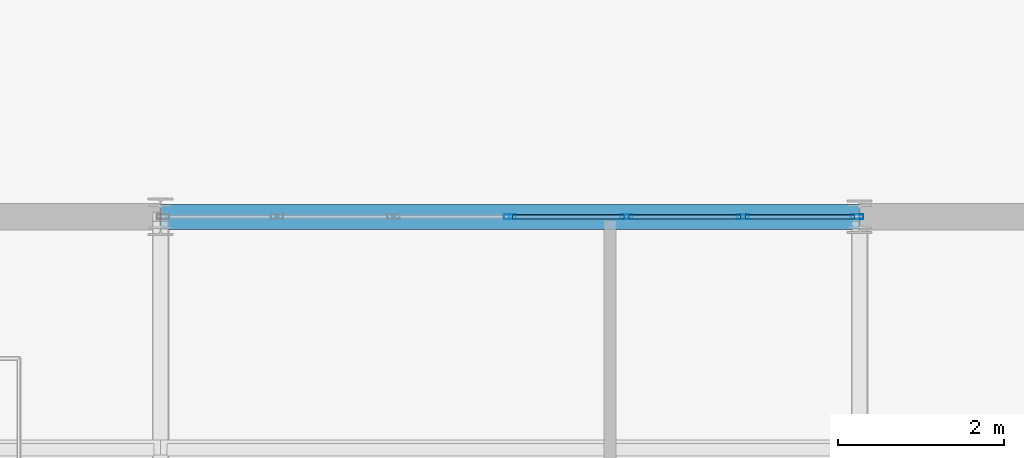
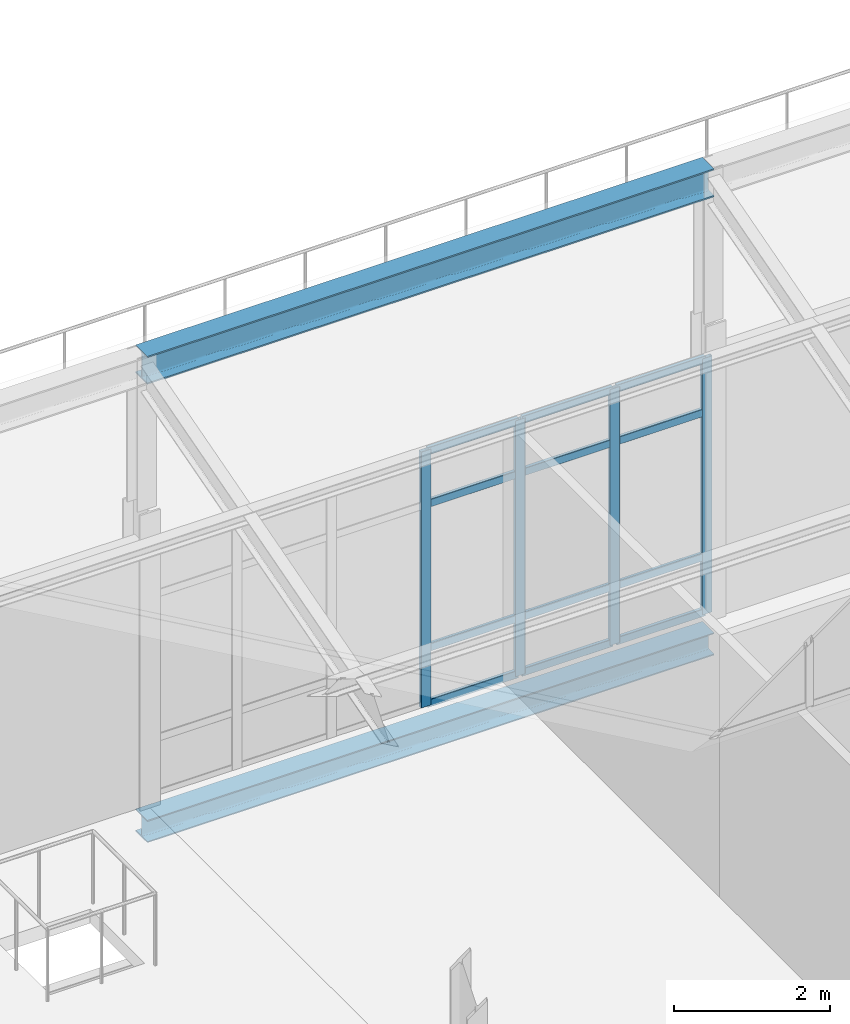
# One storey, part 43 of 53: 16 members, 2 beams, 1 element without a shape of its own.
"""IFC4 building model written with IfcOpenShell, lengths in metres."""

import ifcopenshell
import ifcopenshell.guid

model = None  # the IFC model being written
_history = None  # IfcOwnerHistory: only IFC2X3 demands one
_inside = {}  # id of a spatial element -> (the spatial element, [elements in it])
_under = {}  # id of a project, library or spatial element -> (it, [spatial elements below it])
_declared = {}  # id of a project -> (the project, [libraries it declares])
_typed = {}  # id of a type object -> (the type object, [elements of that type])
_made_of = {}  # id of a material, layer set ... -> (it, [elements and type objects made of it])


def new_model(schema):
    """Start an empty IFC model of exactly this schema.

    Asked for "IFC4X3", IfcOpenShell would pick the latest addendum, in which some entities
    have other attributes; the version numbers below select the first issue.
    IFC2X3 requires an IfcOwnerHistory on every rooted entity: one is made here for all.
    """
    global model, _history
    if schema == "IFC4X3":
        model = ifcopenshell.file(schema_version=(4, 3, 0, 0))
    else:
        model = ifcopenshell.file(schema=schema)
    _inside.clear()
    _under.clear()
    _declared.clear()
    _typed.clear()
    _made_of.clear()
    _history = None
    if model.schema == "IFC2X3":
        org = make("IfcOrganization", Name="unknown")
        user = make(
            "IfcPersonAndOrganization",
            ThePerson=make("IfcPerson", FamilyName="unknown"),
            TheOrganization=org,
        )
        app = make(
            "IfcApplication",
            ApplicationDeveloper=org,
            Version="unknown",
            ApplicationFullName="unknown",
            ApplicationIdentifier="unknown",
        )
        _history = make(
            "IfcOwnerHistory",
            OwningUser=user,
            OwningApplication=app,
            ChangeAction="ADDED",
            CreationDate=0,
        )
    return model


def make(cls, **values):
    """One entity of the class cls with the attributes given. An attribute that is None is left unset."""
    return model.create_entity(
        cls, **{name: value for name, value in values.items() if value is not None}
    )


def rooted(cls, **values):
    """An entity with a GlobalId (a new one), such as an element, a storey or a relation."""
    return make(cls, GlobalId=ifcopenshell.guid.new(), OwnerHistory=_history, **values)


def si_unit(unit_type, name, prefix=None):
    """IfcSIUnit, for example si_unit("LENGTHUNIT", "METRE", prefix="MILLI")."""
    return make("IfcSIUnit", UnitType=unit_type, Prefix=prefix, Name=name)


def assignment(units):
    """IfcUnitAssignment: the units of a project."""
    return None if units is None else make("IfcUnitAssignment", Units=units)


def point(xyz):
    """IfcCartesianPoint."""
    return None if xyz is None else make("IfcCartesianPoint", Coordinates=xyz)


def direction(xyz):
    """IfcDirection."""
    return None if xyz is None else make("IfcDirection", DirectionRatios=xyz)


def frame(location, z_axis=None, x_axis=None):
    """IfcAxis2Placement3D, a coordinate frame: its origin and axes. An axis left out is left unset."""
    return make(
        "IfcAxis2Placement3D",
        Location=point(location),
        Axis=direction(z_axis),
        RefDirection=direction(x_axis),
    )


def frame_2d(location, x_axis=None):
    """IfcAxis2Placement2D, a coordinate frame in the plane: its origin and x axis."""
    return make(
        "IfcAxis2Placement2D", Location=point(location), RefDirection=direction(x_axis)
    )


def origin():
    """The frame at (0, 0, 0) with its axes left unset."""
    return frame((0.0, 0.0, 0.0))


def origin_2d():
    """The frame at (0, 0) in the plane with its x axis left unset."""
    return frame_2d((0.0, 0.0))


def place(relative_to, where):
    """IfcLocalPlacement: puts the frame where relative to a parent placement (None: the world)."""
    return make(
        "IfcLocalPlacement", PlacementRelTo=relative_to, RelativePlacement=where
    )


def context(
    kind, dimensions, precision=None, world=None, true_north=None, identifier=None
):
    """IfcGeometricRepresentationContext, for example the 3D "Model" context."""
    return make(
        "IfcGeometricRepresentationContext",
        ContextIdentifier=identifier,
        ContextType=kind,
        CoordinateSpaceDimension=dimensions,
        Precision=precision,
        WorldCoordinateSystem=world,
        TrueNorth=true_north,
    )


def subcontext(parent, identifier, kind, view, scale=None):
    """IfcGeometricRepresentationSubContext, for example "Body" below "Model"."""
    return make(
        "IfcGeometricRepresentationSubContext",
        ContextIdentifier=identifier,
        ContextType=kind,
        ParentContext=parent,
        TargetScale=scale,
        TargetView=view,
    )


def project(units=None, contexts=None):
    """IfcProject with its units and contexts."""
    return rooted(
        "IfcProject",
        Name="project",
        RepresentationContexts=contexts,
        UnitsInContext=assignment(units),
    )


def spatial(cls, under=None, at=None, **own):
    """A site, building, storey or space (cls), placed at a placement, below another one or the project."""
    s = rooted(cls, ObjectPlacement=at, **own)
    if under is not None:
        _under.setdefault(under.id(), (under, []))[1].append(s)
    return s


def profile(cls, at=None, kind="AREA", **sizes):
    """A parametric profile (cls). Its sizes go by their IFC names, for example OverallWidth=200.0."""
    return make(cls, ProfileType=kind, Position=at, **sizes)


def hollow_rectangle(**sizes):
    """IfcRectangleHollowProfileDef."""
    return profile("IfcRectangleHollowProfileDef", **sizes)


def i_section(**sizes):
    """IfcIShapeProfileDef."""
    return profile("IfcIShapeProfileDef", **sizes)


def extrude(swept, where, along, depth):
    """IfcExtrudedAreaSolid: the profile swept, set in the frame where, extruded along a direction by depth."""
    return make(
        "IfcExtrudedAreaSolid",
        SweptArea=swept,
        Position=where,
        ExtrudedDirection=direction(along),
        Depth=depth,
    )


def shape(context_of_items, identifier, shape_type, items):
    """IfcShapeRepresentation: the items that make up one representation, for example the "Body"."""
    return make(
        "IfcShapeRepresentation",
        ContextOfItems=context_of_items,
        RepresentationIdentifier=identifier,
        RepresentationType=shape_type,
        Items=items,
    )


def material(Name=None, Category=None):
    """IfcMaterial."""
    return make("IfcMaterial", Name=Name, Category=Category)


def layer(
    of_material, thickness, ventilated=None, Name=None, Category=None, Priority=None
):
    """IfcMaterialLayer: one layer of a wall or slab, of a material (None: an air gap)."""
    return make(
        "IfcMaterialLayer",
        Material=of_material,
        LayerThickness=thickness,
        IsVentilated=ventilated,
        Name=Name,
        Category=Category,
        Priority=Priority,
    )


def layer_set(layers, Name=None):
    """IfcMaterialLayerSet."""
    return make("IfcMaterialLayerSet", MaterialLayers=layers, LayerSetName=Name)


def material_profile(
    of_material, cross_section, Name=None, Category=None, Priority=None
):
    """IfcMaterialProfile: a cross section and its material."""
    return make(
        "IfcMaterialProfile",
        Name=Name,
        Material=of_material,
        Profile=cross_section,
        Priority=Priority,
        Category=Category,
    )


def profile_set(profiles, Name=None, composite=None):
    """IfcMaterialProfileSet."""
    return make(
        "IfcMaterialProfileSet",
        Name=Name,
        MaterialProfiles=profiles,
        CompositeProfile=composite,
    )


def made_of(thing, what):
    """Note that an element or type object is made of a material, layer set ...; save() writes the relation."""
    if what is not None:
        _made_of.setdefault(what.id(), (what, []))[1].append(thing)
    return thing


def type_object(cls, material=None, **own):
    """A type object (cls), such as IfcWallType, which elements share."""
    return made_of(rooted(cls, **own), material)


def element(
    cls,
    number,
    at=None,
    inside=None,
    cuts=None,
    type_object=None,
    material=None,
    context=None,
    identifier="Body",
    shape_type=None,
    held_by="IfcProductDefinitionShape",
    body=None,
    shapes=None,
    **own,
):
    """One element of the class cls, such as IfcWall. Its Tag is "e" and its number.

    at: its placement. inside: the storey or other place that contains it. cuts: it is an
    opening in that element (IfcRelVoidsElement). A single representation is given by context,
    identifier, shape_type and body (its items); several are given by shapes. held_by: the class
    of the entity that holds the representations. save() writes the other relations.
    """
    e = rooted(cls, Tag="e%d" % number, ObjectPlacement=at, **own)
    if body is not None:
        shapes = [shape(context, identifier, shape_type, body)]
    if shapes is not None:
        e.Representation = make(held_by, Representations=shapes)
    if inside is not None:
        _inside.setdefault(inside.id(), (inside, []))[1].append(e)
    if cuts is not None:
        rooted(
            "IfcRelVoidsElement", RelatingBuildingElement=cuts, RelatedOpeningElement=e
        )
    if type_object is not None:
        _typed.setdefault(type_object.id(), (type_object, []))[1].append(e)
    return made_of(e, material)


def aggregate(whole, parts):
    """IfcRelAggregates: a whole, such as a stair, and the parts it consists of."""
    return rooted("IfcRelAggregates", RelatingObject=whole, RelatedObjects=parts)


def save(model, path):
    """Write the relations noted so far, then the file.

    IfcRelAggregates (storeys below a building ...), IfcRelContainedInSpatialStructure (elements
    in a storey), IfcRelDefinesByType, IfcRelAssociatesMaterial and IfcRelDeclares: one each for
    every whole, place, type object, material and project.
    """
    for whole, parts in _under.values():
        aggregate(whole, parts)
    for where, things in _inside.values():
        rooted(
            "IfcRelContainedInSpatialStructure",
            RelatedElements=things,
            RelatingStructure=where,
        )
    for kind, things in _typed.values():
        rooted("IfcRelDefinesByType", RelatedObjects=things, RelatingType=kind)
    for what, things in _made_of.values():
        rooted("IfcRelAssociatesMaterial", RelatedObjects=things, RelatingMaterial=what)
    for by, libraries in _declared.values():
        rooted("IfcRelDeclares", RelatingContext=by, RelatedDefinitions=libraries)
    model.write(path)


model = new_model("IFC4")

# Units and contexts
model_context = context("Model", 3, precision=1e-05, world=origin(), true_north=direction((0.0, 1.0)))
body_context = subcontext(model_context, "Body", "Model", "MODEL_VIEW")
ifc_project = project(units=[si_unit("LENGTHUNIT", "METRE"), si_unit("AREAUNIT", "SQUARE_METRE"), si_unit("VOLUMEUNIT", "CUBIC_METRE"), si_unit("PLANEANGLEUNIT", "RADIAN"), si_unit("MASSUNIT", "GRAM", prefix="KILO")], contexts=[model_context])

# Site, building, storey
site_placement = place(None, origin())
site = spatial("IfcSite", under=ifc_project, at=site_placement, CompositionType="ELEMENT")
building_placement = place(site_placement, origin())
building = spatial("IfcBuilding", under=site, at=building_placement, Name="Qalvenar Corner Mobility Hub", CompositionType="ELEMENT")
storey_placement = place(building_placement, frame((0.0, 0.0, 26.39990234375)))
storey = spatial("IfcBuildingStorey", under=building, at=storey_placement, Name="L06", CompositionType="ELEMENT", Elevation=26.39990234375)

# Beams
ifc_material_1 = material(Name="Steel S355", Category="steel")
ifc_material_profile_1 = material_profile(ifc_material_1, i_section(OverallWidth=0.300048828125, OverallDepth=0.43994140625, WebThickness=0.011474609375, FlangeThickness=0.02099609375, FilletRadius=0.027099609375, at=origin_2d()), Name="HEA450")
ifc_profile_set_1 = profile_set([ifc_material_profile_1], Name="Steel S355")
beam_type_1 = type_object("IfcBeamType", Name="BM-HEA450", PredefinedType="BEAM", material=ifc_profile_set_1)
beam_1_placement = place(storey_placement, frame((16.800048828125, 33.60009765625, 6.81005859375), z_axis=(1.0, 0.0, 0.0), x_axis=(0.0, 1.0, 0.0)))
element("IfcBeam", 1, at=beam_1_placement, inside=storey, type_object=beam_type_1, Name="Sawtooth Ridge Girder V3RDG-4-3", PredefinedType="BEAM", context=body_context, shape_type="SweptSolid", body=[
    extrude(i_section(OverallWidth=0.300048828125, OverallDepth=0.43994140625, WebThickness=0.011474609375, FlangeThickness=0.02099609375, FilletRadius=0.027099609375, at=origin_2d()), origin(), (0.0, 0.0, 1.0), 8.39990234375),
])
ifc_material_profile_2 = material_profile(ifc_material_1, i_section(OverallWidth=0.300048828125, OverallDepth=0.35009765625, WebThickness=0.010009765625, FlangeThickness=0.017578125, FilletRadius=0.027099609375, at=origin_2d()), Name="HEA360")
ifc_profile_set_2 = profile_set([ifc_material_profile_2], Name="Steel S355")
beam_type_2 = type_object("IfcBeamType", Name="BM-SPN360", PredefinedType="SPANDREL", material=ifc_profile_set_2)
beam_2_placement = place(storey_placement, frame((16.800048828125, 33.60009765625, -0.4169921875), z_axis=(1.0, 0.0, 0.0), x_axis=(0.0, 1.0, 0.0)))
element("IfcBeam", 2, at=beam_2_placement, inside=storey, type_object=beam_type_2, Name="Primary Steel Girder GX-3074", PredefinedType="SPANDREL", context=body_context, shape_type="SweptSolid", body=[
    extrude(i_section(OverallWidth=0.300048828125, OverallDepth=0.35009765625, WebThickness=0.010009765625, FlangeThickness=0.017578125, FilletRadius=0.027099609375, at=origin_2d()), origin(), (0.0, 0.0, 1.0), 8.39990234375),
])

# Curtain wall, members
ifc_material_2 = material(Name="Anodised Aluminium and Low-E Glazing", Category="aluminium")
ifc_layer = layer(ifc_material_2, 0.14990234375)
ifc_layer_set = layer_set([ifc_layer], Name="Anodised Aluminium and Low-E Glazing")
curtain_wall_type = type_object("IfcCurtainWallType", Name="CW-CIV-84X40", PredefinedType="NOTDEFINED", material=ifc_layer_set)
curtain_wall_placement = place(storey_placement, origin())
curtain_wall = element("IfcCurtainWall", 3, at=curtain_wall_placement, inside=storey, type_object=curtain_wall_type, Name="Glazed Curtain Wall CW-V3-L06-N2", PredefinedType="NOTDEFINED")
ifc_material_3 = material(Name="Anodised Aluminium 6063-T6", Category="aluminium")
ifc_material_profile_3 = material_profile(ifc_material_3, hollow_rectangle(XDim=0.06005859375, YDim=0.14990234375, WallThickness=0.00390625, InnerFilletRadius=0.00390625, OuterFilletRadius=0.008056640625, at=origin_2d()), Name="RHS150x60x4")
ifc_profile_set_3 = profile_set([ifc_material_profile_3], Name="Anodised Aluminium 6063-T6")
member_type_1 = type_object("IfcMemberType", Name="CW-MUL150", PredefinedType="MULLION", material=ifc_profile_set_3)
member_1_placement = place(storey_placement, frame((25.169921875, 33.60009765625, 0.0), z_axis=(0.0, 0.0, 1.0), x_axis=(0.0, -1.0, 0.0)))
member_1 = element("IfcMember", 4, at=member_1_placement, type_object=member_type_1, Name="CW-05 mullion 1", PredefinedType="MULLION", context=body_context, shape_type="SweptSolid", body=[
    extrude(hollow_rectangle(XDim=0.06005859375, YDim=0.14990234375, WallThickness=0.00390625, InnerFilletRadius=0.00390625, OuterFilletRadius=0.008056640625, at=origin_2d()), origin(), (0.0, 0.0, 1.0), 4.010009765625),
])
member_2_placement = place(storey_placement, frame((23.800048828125, 33.60009765625, 0.0), z_axis=(0.0, 0.0, 1.0), x_axis=(0.0, -1.0, 0.0)))
member_2 = element("IfcMember", 5, at=member_2_placement, type_object=member_type_1, Name="CW-05 mullion 2", PredefinedType="MULLION", context=body_context, shape_type="SweptSolid", body=[
    extrude(hollow_rectangle(XDim=0.06005859375, YDim=0.14990234375, WallThickness=0.00390625, InnerFilletRadius=0.00390625, OuterFilletRadius=0.008056640625, at=origin_2d()), origin(), (0.0, 0.0, 1.0), 4.010009765625),
])
member_3_placement = place(storey_placement, frame((22.39990234375, 33.60009765625, 0.0), z_axis=(0.0, 0.0, 1.0), x_axis=(0.0, -1.0, 0.0)))
member_3 = element("IfcMember", 6, at=member_3_placement, type_object=member_type_1, Name="CW-05 mullion 3", PredefinedType="MULLION", context=body_context, shape_type="SweptSolid", body=[
    extrude(hollow_rectangle(XDim=0.06005859375, YDim=0.14990234375, WallThickness=0.00390625, InnerFilletRadius=0.00390625, OuterFilletRadius=0.008056640625, at=origin_2d()), origin(), (0.0, 0.0, 1.0), 4.010009765625),
])
member_4_placement = place(storey_placement, frame((21.0, 33.60009765625, 0.0), z_axis=(0.0, 0.0, 1.0), x_axis=(0.0, -1.0, 0.0)))
member_4 = element("IfcMember", 7, at=member_4_placement, type_object=member_type_1, Name="CW-05 mullion 4", PredefinedType="MULLION", context=body_context, shape_type="SweptSolid", body=[
    extrude(hollow_rectangle(XDim=0.06005859375, YDim=0.14990234375, WallThickness=0.00390625, InnerFilletRadius=0.00390625, OuterFilletRadius=0.008056640625, at=origin_2d()), origin(), (0.0, 0.0, 1.0), 4.010009765625),
])
ifc_material_profile_4 = material_profile(ifc_material_3, hollow_rectangle(XDim=0.054931640625, YDim=0.1201171875, WallThickness=0.00341796875, InnerFilletRadius=0.00341796875, OuterFilletRadius=0.007080078125, at=origin_2d()), Name="RHS120x55x3.5")
ifc_profile_set_4 = profile_set([ifc_material_profile_4], Name="Anodised Aluminium 6063-T6")
member_type_2 = type_object("IfcMemberType", Name="CW-TRN120", PredefinedType="USERDEFINED", material=ifc_profile_set_4)
member_5_placement = place(storey_placement, frame((25.139892578125, 33.60009765625, 0.027587890625), z_axis=(-1.0, 0.0, 0.0), x_axis=(0.0, -1.0, 0.0)))
member_5 = element("IfcMember", 8, at=member_5_placement, type_object=member_type_2, Name="CW-05 transom 1.1", ObjectType="TRANSOM", PredefinedType="USERDEFINED", context=body_context, shape_type="SweptSolid", body=[
    extrude(hollow_rectangle(XDim=0.054931640625, YDim=0.1201171875, WallThickness=0.00341796875, InnerFilletRadius=0.00341796875, OuterFilletRadius=0.007080078125, at=origin_2d()), origin(), (0.0, 0.0, 1.0), 1.309814453125),
])
member_6_placement = place(storey_placement, frame((25.139892578125, 33.60009765625, 0.900146484375), z_axis=(-1.0, 0.0, 0.0), x_axis=(0.0, -1.0, 0.0)))
member_6 = element("IfcMember", 9, at=member_6_placement, type_object=member_type_2, Name="CW-05 transom 1.2", ObjectType="TRANSOM", PredefinedType="USERDEFINED", context=body_context, shape_type="SweptSolid", body=[
    extrude(hollow_rectangle(XDim=0.054931640625, YDim=0.1201171875, WallThickness=0.00341796875, InnerFilletRadius=0.00341796875, OuterFilletRadius=0.007080078125, at=origin_2d()), origin(), (0.0, 0.0, 1.0), 1.309814453125),
])
member_7_placement = place(storey_placement, frame((25.139892578125, 33.60009765625, 3.16015625), z_axis=(-1.0, 0.0, 0.0), x_axis=(0.0, -1.0, 0.0)))
member_7 = element("IfcMember", 10, at=member_7_placement, type_object=member_type_2, Name="CW-05 transom 1.3", ObjectType="TRANSOM", PredefinedType="USERDEFINED", context=body_context, shape_type="SweptSolid", body=[
    extrude(hollow_rectangle(XDim=0.054931640625, YDim=0.1201171875, WallThickness=0.00341796875, InnerFilletRadius=0.00341796875, OuterFilletRadius=0.007080078125, at=origin_2d()), origin(), (0.0, 0.0, 1.0), 1.309814453125),
])
member_8_placement = place(storey_placement, frame((25.139892578125, 33.60009765625, 3.982666015625), z_axis=(-1.0, 0.0, 0.0), x_axis=(0.0, -1.0, 0.0)))
member_8 = element("IfcMember", 11, at=member_8_placement, type_object=member_type_2, Name="CW-05 transom 1.4", ObjectType="TRANSOM", PredefinedType="USERDEFINED", context=body_context, shape_type="SweptSolid", body=[
    extrude(hollow_rectangle(XDim=0.054931640625, YDim=0.1201171875, WallThickness=0.00341796875, InnerFilletRadius=0.00341796875, OuterFilletRadius=0.007080078125, at=origin_2d()), origin(), (0.0, 0.0, 1.0), 1.309814453125),
])
member_9_placement = place(storey_placement, frame((23.77001953125, 33.60009765625, 0.027587890625), z_axis=(-1.0, 0.0, 0.0), x_axis=(0.0, -1.0, 0.0)))
member_9 = element("IfcMember", 12, at=member_9_placement, type_object=member_type_2, Name="CW-05 transom 2.1", ObjectType="TRANSOM", PredefinedType="USERDEFINED", context=body_context, shape_type="SweptSolid", body=[
    extrude(hollow_rectangle(XDim=0.054931640625, YDim=0.1201171875, WallThickness=0.00341796875, InnerFilletRadius=0.00341796875, OuterFilletRadius=0.007080078125, at=origin_2d()), origin(), (0.0, 0.0, 1.0), 1.340087890625),
])
member_10_placement = place(storey_placement, frame((23.77001953125, 33.60009765625, 0.900146484375), z_axis=(-1.0, 0.0, 0.0), x_axis=(0.0, -1.0, 0.0)))
member_10 = element("IfcMember", 13, at=member_10_placement, type_object=member_type_2, Name="CW-05 transom 2.2", ObjectType="TRANSOM", PredefinedType="USERDEFINED", context=body_context, shape_type="SweptSolid", body=[
    extrude(hollow_rectangle(XDim=0.054931640625, YDim=0.1201171875, WallThickness=0.00341796875, InnerFilletRadius=0.00341796875, OuterFilletRadius=0.007080078125, at=origin_2d()), origin(), (0.0, 0.0, 1.0), 1.340087890625),
])
member_11_placement = place(storey_placement, frame((23.77001953125, 33.60009765625, 3.16015625), z_axis=(-1.0, 0.0, 0.0), x_axis=(0.0, -1.0, 0.0)))
member_11 = element("IfcMember", 14, at=member_11_placement, type_object=member_type_2, Name="CW-05 transom 2.3", ObjectType="TRANSOM", PredefinedType="USERDEFINED", context=body_context, shape_type="SweptSolid", body=[
    extrude(hollow_rectangle(XDim=0.054931640625, YDim=0.1201171875, WallThickness=0.00341796875, InnerFilletRadius=0.00341796875, OuterFilletRadius=0.007080078125, at=origin_2d()), origin(), (0.0, 0.0, 1.0), 1.340087890625),
])
member_12_placement = place(storey_placement, frame((23.77001953125, 33.60009765625, 3.982666015625), z_axis=(-1.0, 0.0, 0.0), x_axis=(0.0, -1.0, 0.0)))
member_12 = element("IfcMember", 15, at=member_12_placement, type_object=member_type_2, Name="CW-05 transom 2.4", ObjectType="TRANSOM", PredefinedType="USERDEFINED", context=body_context, shape_type="SweptSolid", body=[
    extrude(hollow_rectangle(XDim=0.054931640625, YDim=0.1201171875, WallThickness=0.00341796875, InnerFilletRadius=0.00341796875, OuterFilletRadius=0.007080078125, at=origin_2d()), origin(), (0.0, 0.0, 1.0), 1.340087890625),
])
member_13_placement = place(storey_placement, frame((22.3701171875, 33.60009765625, 0.027587890625), z_axis=(-1.0, 0.0, 0.0), x_axis=(0.0, -1.0, 0.0)))
member_13 = element("IfcMember", 16, at=member_13_placement, type_object=member_type_2, Name="CW-05 transom 3.1", ObjectType="TRANSOM", PredefinedType="USERDEFINED", context=body_context, shape_type="SweptSolid", body=[
    extrude(hollow_rectangle(XDim=0.054931640625, YDim=0.1201171875, WallThickness=0.00341796875, InnerFilletRadius=0.00341796875, OuterFilletRadius=0.007080078125, at=origin_2d()), origin(), (0.0, 0.0, 1.0), 1.340087890625),
])
member_14_placement = place(storey_placement, frame((22.3701171875, 33.60009765625, 0.900146484375), z_axis=(-1.0, 0.0, 0.0), x_axis=(0.0, -1.0, 0.0)))
member_14 = element("IfcMember", 17, at=member_14_placement, type_object=member_type_2, Name="CW-05 transom 3.2", ObjectType="TRANSOM", PredefinedType="USERDEFINED", context=body_context, shape_type="SweptSolid", body=[
    extrude(hollow_rectangle(XDim=0.054931640625, YDim=0.1201171875, WallThickness=0.00341796875, InnerFilletRadius=0.00341796875, OuterFilletRadius=0.007080078125, at=origin_2d()), origin(), (0.0, 0.0, 1.0), 1.340087890625),
])
member_15_placement = place(storey_placement, frame((22.3701171875, 33.60009765625, 3.16015625), z_axis=(-1.0, 0.0, 0.0), x_axis=(0.0, -1.0, 0.0)))
member_15 = element("IfcMember", 18, at=member_15_placement, type_object=member_type_2, Name="CW-05 transom 3.3", ObjectType="TRANSOM", PredefinedType="USERDEFINED", context=body_context, shape_type="SweptSolid", body=[
    extrude(hollow_rectangle(XDim=0.054931640625, YDim=0.1201171875, WallThickness=0.00341796875, InnerFilletRadius=0.00341796875, OuterFilletRadius=0.007080078125, at=origin_2d()), origin(), (0.0, 0.0, 1.0), 1.340087890625),
])
member_16_placement = place(storey_placement, frame((22.3701171875, 33.60009765625, 3.982666015625), z_axis=(-1.0, 0.0, 0.0), x_axis=(0.0, -1.0, 0.0)))
member_16 = element("IfcMember", 19, at=member_16_placement, type_object=member_type_2, Name="CW-05 transom 3.4", ObjectType="TRANSOM", PredefinedType="USERDEFINED", context=body_context, shape_type="SweptSolid", body=[
    extrude(hollow_rectangle(XDim=0.054931640625, YDim=0.1201171875, WallThickness=0.00341796875, InnerFilletRadius=0.00341796875, OuterFilletRadius=0.007080078125, at=origin_2d()), origin(), (0.0, 0.0, 1.0), 1.340087890625),
])
aggregate(curtain_wall, [member_1, member_2, member_3, member_4, member_5, member_6, member_7, member_8, member_9, member_10, member_11, member_12, member_13, member_14, member_15, member_16])

save(model, "model.ifc")
